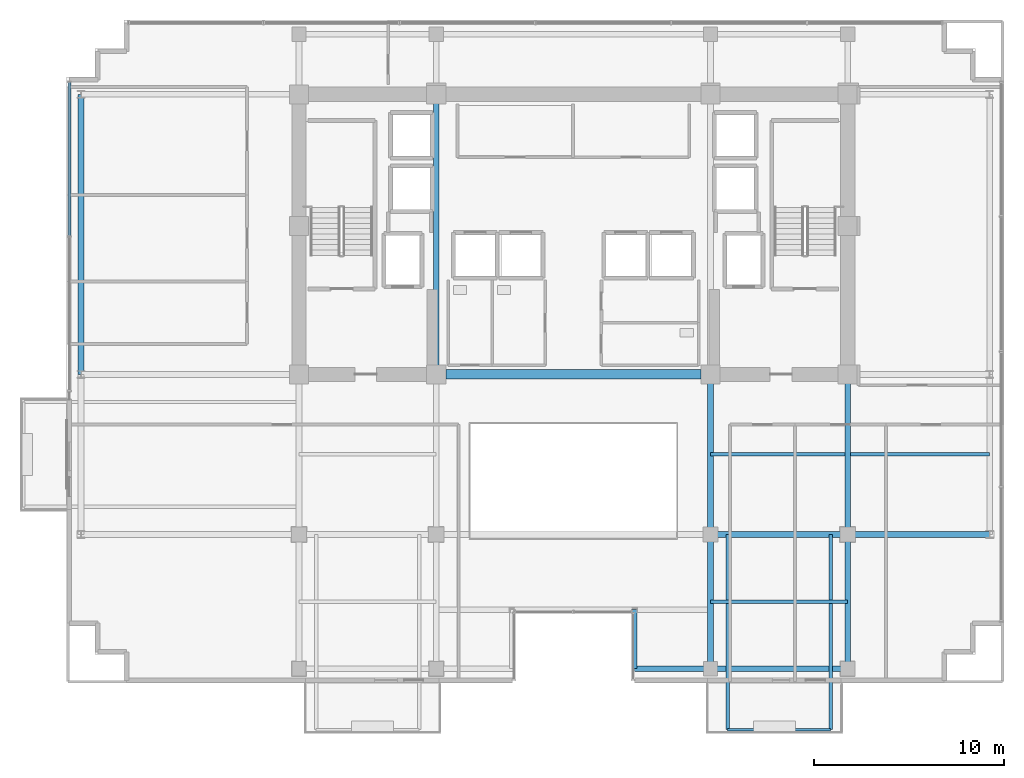
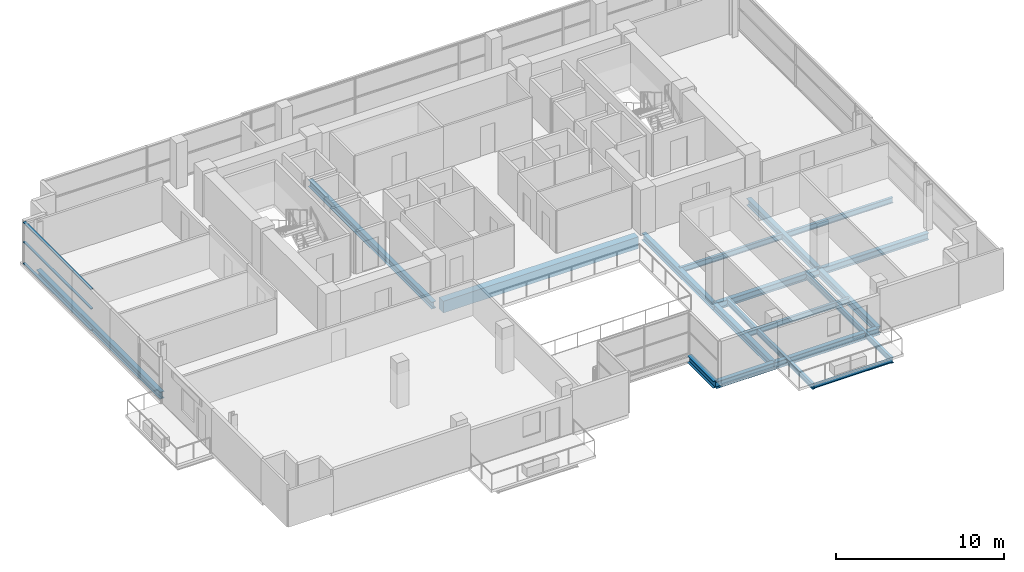
# One storey, part 5 of 21: 18 beams, 3 members, 1 element without a shape of its own.
"""IFC4 building model written with IfcOpenShell, lengths in metres."""

from ifc_helpers import new_model, si_unit, direction, frame, origin, origin_2d, place, context, subcontext, project, spatial, rectangle, hollow_rectangle, i_section, extrude, source, transform, mapped, material, layer, layer_set, material_profile, profile_set, type_object, element, aggregate, save


model = new_model("IFC4")

# Units and contexts
model_context = context("Model", 3, precision=1e-05, world=origin(), true_north=direction((0.0, 1.0)))
body_context = subcontext(model_context, "Body", "Model", "MODEL_VIEW")
ifc_project = project(units=[si_unit("LENGTHUNIT", "METRE"), si_unit("AREAUNIT", "SQUARE_METRE"), si_unit("VOLUMEUNIT", "CUBIC_METRE"), si_unit("PLANEANGLEUNIT", "RADIAN"), si_unit("MASSUNIT", "GRAM", prefix="KILO")], contexts=[model_context])

# Site, building, storey
site_placement = place(None, origin())
site = spatial("IfcSite", under=ifc_project, at=site_placement, CompositionType="ELEMENT")
building_placement = place(site_placement, origin())
building = spatial("IfcBuilding", under=site, at=building_placement, Name="Zarnakvel Exchange Tower", CompositionType="ELEMENT")
storey_placement = place(building_placement, frame((0.0, 0.0, 152.800048828125)))
storey = spatial("IfcBuildingStorey", under=building, at=storey_placement, Name="L42", CompositionType="ELEMENT", Elevation=152.800048828125)

# Beams
ifc_material_1 = material(Name="Steel S355", Category="steel")
ifc_material_profile_1 = material_profile(ifc_material_1, i_section(OverallWidth=0.179931640625, OverallDepth=0.39990234375, WebThickness=0.008544921875, FlangeThickness=0.013427734375, FilletRadius=0.02099609375, at=origin_2d()))
ifc_profile_set_1 = profile_set([ifc_material_profile_1], Name="Steel S355")
beam_type_1 = type_object("IfcBeamType", Name="B-06", PredefinedType="JOIST", material=ifc_profile_set_1)
beam_1_placement = place(storey_placement, frame((7.199951171875, -13.125, -0.425048828125), z_axis=(1.0, 0.0, 0.0), x_axis=(0.0, 1.0, 0.0)))
element("IfcBeam", 1, at=beam_1_placement, inside=storey, type_object=beam_type_1, Name="L42 Composite Floor Secondary Joist", PredefinedType="JOIST", context=body_context, shape_type="SweptSolid", body=[
    extrude(i_section(OverallWidth=0.179931640625, OverallDepth=0.39990234375, WebThickness=0.008544921875, FlangeThickness=0.013427734375, FilletRadius=0.02099609375, at=origin_2d()), origin(), (0.0, 0.0, 1.0), 7.199951171875),
])
beam_2_placement = place(storey_placement, frame((7.199951171875, -5.39990234375, -0.425048828125), z_axis=(1.0, 0.0, 0.0), x_axis=(0.0, 1.0, 0.0)))
element("IfcBeam", 2, at=beam_2_placement, inside=storey, type_object=beam_type_1, Name="L42 Composite Floor Secondary Joist", PredefinedType="JOIST", context=body_context, shape_type="SweptSolid", body=[
    extrude(i_section(OverallWidth=0.179931640625, OverallDepth=0.39990234375, WebThickness=0.008544921875, FlangeThickness=0.013427734375, FilletRadius=0.02099609375, at=origin_2d()), origin(), (0.0, 0.0, 1.0), 7.050048828125),
])
beam_3_placement = place(storey_placement, frame((14.550048828125, -5.39990234375, -0.425048828125), z_axis=(1.0, 0.0, 0.0), x_axis=(0.0, 1.0, 0.0)))
element("IfcBeam", 3, at=beam_3_placement, inside=storey, type_object=beam_type_1, Name="L42 Composite Floor Secondary Joist", PredefinedType="JOIST", context=body_context, shape_type="SweptSolid", body=[
    extrude(i_section(OverallWidth=0.179931640625, OverallDepth=0.39990234375, WebThickness=0.008544921875, FlangeThickness=0.013427734375, FilletRadius=0.02099609375, at=origin_2d()), origin(), (0.0, 0.0, 1.0), 7.300048828125),
])
for number, where, z_axis, x_axis, name in (
    (4, (8.10009765625, -9.60009765625, -0.425048828125), (0.0, -1.0, 0.0), (1.0, 0.0, 0.0), "L42 Continuous Back-Spanned Balcony Beam W"),
    (5, (13.5, -9.60009765625, -0.425048828125), (0.0, -1.0, 0.0), (1.0, 0.0, 0.0), "L42 Continuous Back-Spanned Balcony Beam E"),
):
    element("IfcBeam", number, at=place(storey_placement, frame(where, z_axis=z_axis, x_axis=x_axis)), inside=storey, type_object=beam_type_1, Name=name, PredefinedType="JOIST", context=body_context, shape_type="SweptSolid", body=[
        extrude(i_section(OverallWidth=0.179931640625, OverallDepth=0.39990234375, WebThickness=0.008544921875, FlangeThickness=0.013427734375, FilletRadius=0.02099609375, at=origin_2d()), origin(), (0.0, 0.0, 1.0), 10.25),
    ])
ifc_material_profile_2 = material_profile(ifc_material_1, i_section(OverallWidth=0.14990234375, OverallDepth=0.300048828125, WebThickness=0.007080078125, FlangeThickness=0.0107421875, FilletRadius=0.014892578125, at=origin_2d()))
ifc_profile_set_2 = profile_set([ifc_material_profile_2], Name="Steel S355")
beam_type_2 = type_object("IfcBeamType", Name="B-08", PredefinedType="JOIST", material=ifc_profile_set_2)
beam_4_placement = place(storey_placement, frame((8.10009765625, -19.85009765625, -0.375), z_axis=(1.0, 0.0, 0.0), x_axis=(0.0, 1.0, 0.0)))
element("IfcBeam", 6, at=beam_4_placement, inside=storey, type_object=beam_type_2, Name="L42 Balcony Edge Beam", PredefinedType="JOIST", context=body_context, shape_type="SweptSolid", body=[
    extrude(i_section(OverallWidth=0.14990234375, OverallDepth=0.300048828125, WebThickness=0.007080078125, FlangeThickness=0.0107421875, FilletRadius=0.014892578125, at=origin_2d()), origin(), (0.0, 0.0, 1.0), 5.39990234375),
])
ifc_material_2 = material(Name="Concrete C60/75", Category="concrete")
ifc_material_profile_3 = material_profile(ifc_material_2, rectangle(XDim=0.5, YDim=0.85009765625, at=origin_2d()))
ifc_profile_set_3 = profile_set([ifc_material_profile_3], Name="Concrete C60/75")
beam_type_3 = type_object("IfcBeamType", Name="CB-02", PredefinedType="LINTEL", material=ifc_profile_set_3)
beam_5_placement = place(storey_placement, frame((-6.699951171875, -1.199951171875, -0.650146484375), z_axis=(1.0, 0.0, 0.0), x_axis=(0.0, 1.0, 0.0)))
element("IfcBeam", 7, at=beam_5_placement, inside=storey, type_object=beam_type_3, Name="L42 Rear Core South Coupling Beam (CB-02)", PredefinedType="LINTEL", context=body_context, shape_type="SweptSolid", body=[
    extrude(rectangle(XDim=0.5, YDim=0.85009765625, at=origin_2d()), origin(), (0.0, 0.0, 1.0), 13.39990234375),
])
ifc_material_profile_4 = material_profile(ifc_material_1, i_section(OverallWidth=0.300048828125, OverallDepth=0.5, WebThickness=0.014404296875, FlangeThickness=0.028076171875, FilletRadius=0.027099609375, at=origin_2d()))
ifc_profile_set_4 = profile_set([ifc_material_profile_4], Name="Steel S355")
beam_type_4 = type_object("IfcBeamType", Name="G-06", PredefinedType="BEAM", material=ifc_profile_set_4)
beam_6_placement = place(storey_placement, frame((3.199951171875, -16.64990234375, -0.47509765625), z_axis=(0.0, 1.0, 0.0), x_axis=(-1.0, 0.0, 0.0)))
element("IfcBeam", 8, at=beam_6_placement, inside=storey, type_object=beam_type_4, Name="L42 South Slot East Cheek Beam", PredefinedType="BEAM", context=body_context, shape_type="SweptSolid", body=[
    extrude(i_section(OverallWidth=0.300048828125, OverallDepth=0.5, WebThickness=0.014404296875, FlangeThickness=0.028076171875, FilletRadius=0.027099609375, at=origin_2d()), origin(), (0.0, 0.0, 1.0), 3.099853515625),
])
beam_7_placement = place(storey_placement, frame((7.199951171875, -9.60009765625, -0.47509765625), z_axis=(1.0, 0.0, 0.0), x_axis=(0.0, 1.0, 0.0)))
element("IfcBeam", 9, at=beam_7_placement, inside=storey, type_object=beam_type_4, Name="L42 Tower E-W Frame Beam", PredefinedType="BEAM", context=body_context, shape_type="SweptSolid", body=[
    extrude(i_section(OverallWidth=0.300048828125, OverallDepth=0.5, WebThickness=0.014404296875, FlangeThickness=0.028076171875, FilletRadius=0.027099609375, at=origin_2d()), origin(), (0.0, 0.0, 1.0), 7.199951171875),
])
beam_8_placement = place(storey_placement, frame((14.39990234375, -9.60009765625, -0.47509765625), z_axis=(1.0, 0.0, 0.0), x_axis=(0.0, 1.0, 0.0)))
element("IfcBeam", 10, at=beam_8_placement, inside=storey, type_object=beam_type_4, Name="L42 Tower E-W Frame Beam", PredefinedType="BEAM", context=body_context, shape_type="SweptSolid", body=[
    extrude(i_section(OverallWidth=0.300048828125, OverallDepth=0.5, WebThickness=0.014404296875, FlangeThickness=0.028076171875, FilletRadius=0.027099609375, at=origin_2d()), origin(), (0.0, 0.0, 1.0), 7.4501953125),
])
beam_9_placement = place(storey_placement, frame((-7.199951171875, -1.199951171875, -0.47509765625), z_axis=(0.0, 1.0, 0.0), x_axis=(-1.0, 0.0, 0.0)))
element("IfcBeam", 11, at=beam_9_placement, inside=storey, type_object=beam_type_4, Name="L42 Tower N-S Frame Beam", PredefinedType="BEAM", context=body_context, shape_type="SweptSolid", body=[
    extrude(i_section(OverallWidth=0.300048828125, OverallDepth=0.5, WebThickness=0.014404296875, FlangeThickness=0.028076171875, FilletRadius=0.027099609375, at=origin_2d()), origin(), (0.0, 0.0, 1.0), 14.699951171875),
])
beam_10_placement = place(storey_placement, frame((7.199951171875, -16.64990234375, -0.47509765625), z_axis=(0.0, 1.0, 0.0), x_axis=(-1.0, 0.0, 0.0)))
element("IfcBeam", 12, at=beam_10_placement, inside=storey, type_object=beam_type_4, Name="L42 Tower N-S Frame Beam", PredefinedType="BEAM", context=body_context, shape_type="SweptSolid", body=[
    extrude(i_section(OverallWidth=0.300048828125, OverallDepth=0.5, WebThickness=0.014404296875, FlangeThickness=0.028076171875, FilletRadius=0.027099609375, at=origin_2d()), origin(), (0.0, 0.0, 1.0), 7.0498046875),
])
beam_11_placement = place(storey_placement, frame((7.199951171875, -9.60009765625, -0.47509765625), z_axis=(0.0, 1.0, 0.0), x_axis=(-1.0, 0.0, 0.0)))
element("IfcBeam", 13, at=beam_11_placement, inside=storey, type_object=beam_type_4, Name="L42 Tower N-S Frame Beam", PredefinedType="BEAM", context=body_context, shape_type="SweptSolid", body=[
    extrude(i_section(OverallWidth=0.300048828125, OverallDepth=0.5, WebThickness=0.014404296875, FlangeThickness=0.028076171875, FilletRadius=0.027099609375, at=origin_2d()), origin(), (0.0, 0.0, 1.0), 8.400146484375),
])
beam_12_placement = place(storey_placement, frame((14.39990234375, -16.64990234375, -0.47509765625), z_axis=(0.0, 1.0, 0.0), x_axis=(-1.0, 0.0, 0.0)))
element("IfcBeam", 14, at=beam_12_placement, inside=storey, type_object=beam_type_4, Name="L42 Tower N-S Frame Beam", PredefinedType="BEAM", context=body_context, shape_type="SweptSolid", body=[
    extrude(i_section(OverallWidth=0.300048828125, OverallDepth=0.5, WebThickness=0.014404296875, FlangeThickness=0.028076171875, FilletRadius=0.027099609375, at=origin_2d()), origin(), (0.0, 0.0, 1.0), 7.0498046875),
])
beam_13_placement = place(storey_placement, frame((14.39990234375, -9.60009765625, -0.47509765625), z_axis=(0.0, 1.0, 0.0), x_axis=(-1.0, 0.0, 0.0)))
element("IfcBeam", 15, at=beam_13_placement, inside=storey, type_object=beam_type_4, Name="L42 Tower N-S Frame Beam", PredefinedType="BEAM", context=body_context, shape_type="SweptSolid", body=[
    extrude(i_section(OverallWidth=0.300048828125, OverallDepth=0.5, WebThickness=0.014404296875, FlangeThickness=0.028076171875, FilletRadius=0.027099609375, at=origin_2d()), origin(), (0.0, 0.0, 1.0), 8.400146484375),
])
ifc_material_profile_5 = material_profile(ifc_material_1, i_section(OverallWidth=0.300048828125, OverallDepth=0.5, WebThickness=0.014404296875, FlangeThickness=0.028076171875, FilletRadius=0.027099609375, at=origin_2d()))
ifc_profile_set_5 = profile_set([ifc_material_profile_5], Name="Steel S355")
beam_type_5 = type_object("IfcBeamType", Name="SP-02", PredefinedType="SPANDREL", material=ifc_profile_set_5)
beam_14_placement = place(storey_placement, frame((3.199951171875, -16.64990234375, -0.47509765625), z_axis=(1.0, 0.0, 0.0), x_axis=(0.0, 1.0, 0.0)))
element("IfcBeam", 16, at=beam_14_placement, inside=storey, type_object=beam_type_5, Name="L42 South Slot East Jamb Spandrel", PredefinedType="SPANDREL", context=body_context, shape_type="SweptSolid", body=[
    extrude(i_section(OverallWidth=0.300048828125, OverallDepth=0.5, WebThickness=0.014404296875, FlangeThickness=0.028076171875, FilletRadius=0.027099609375, at=origin_2d()), origin(), (0.0, 0.0, 1.0), 4.0),
])
beam_15_placement = place(storey_placement, frame((7.199951171875, -16.64990234375, -0.47509765625), z_axis=(1.0, 0.0, 0.0), x_axis=(0.0, 1.0, 0.0)))
element("IfcBeam", 17, at=beam_15_placement, inside=storey, type_object=beam_type_5, Name="L42 Tower E-W Frame Beam", PredefinedType="SPANDREL", context=body_context, shape_type="SweptSolid", body=[
    extrude(i_section(OverallWidth=0.300048828125, OverallDepth=0.5, WebThickness=0.014404296875, FlangeThickness=0.028076171875, FilletRadius=0.027099609375, at=origin_2d()), origin(), (0.0, 0.0, 1.0), 7.199951171875),
])
beam_16_placement = place(storey_placement, frame((-25.85009765625, -1.199951171875, -0.47509765625), z_axis=(0.0, 1.0, 0.0), x_axis=(-1.0, 0.0, 0.0)))
element("IfcBeam", 18, at=beam_16_placement, inside=storey, type_object=beam_type_5, Name="L42 Tower N-S Frame Beam", PredefinedType="SPANDREL", context=body_context, shape_type="SweptSolid", body=[
    extrude(i_section(OverallWidth=0.300048828125, OverallDepth=0.5, WebThickness=0.014404296875, FlangeThickness=0.028076171875, FilletRadius=0.027099609375, at=origin_2d()), origin(), (0.0, 0.0, 1.0), 14.699951171875),
])

# Curtain wall, members
ifc_material_3 = material(Name="Architectural Bronze Anodised Aluminium", Category="aluminium")
ifc_layer = layer(ifc_material_3, 0.199951171875)
ifc_layer_set = layer_set([ifc_layer], Name="Architectural Bronze Anodised Aluminium")
curtain_wall_type = type_object("IfcCurtainWallType", Name="CW-04", PredefinedType="NOTDEFINED", material=ifc_layer_set)
curtain_wall_placement = place(storey_placement, origin())
curtain_wall = element("IfcCurtainWall", 19, at=curtain_wall_placement, inside=storey, type_object=curtain_wall_type, Name="L42 Curtain Wall CW-L42-WN (CW-04)", PredefinedType="NOTDEFINED")
ifc_material_profile_6 = material_profile(ifc_material_3, hollow_rectangle(XDim=0.159912109375, YDim=0.074951171875, WallThickness=0.00390625, at=origin_2d()))
ifc_profile_set_6 = profile_set([ifc_material_profile_6], Name="Architectural Bronze Anodised Aluminium")
member_type = type_object("IfcMemberType", Name="CWT-04", PredefinedType="USERDEFINED", material=ifc_profile_set_6)
shared_shape = source(origin(), body_context, "Body", "SweptSolid", [
    extrude(hollow_rectangle(XDim=0.159912109375, YDim=0.074951171875, WallThickness=0.00390625, at=origin_2d()), origin(), (0.0, 0.0, 1.0), 8.03759765625),
])
member_1_placement = place(storey_placement, frame((-26.4599609375, 6.08740234375, 0.037353515625), z_axis=(0.0, 1.0, 0.0), x_axis=(-1.0, 0.0, 0.0)))
member_1 = element("IfcMember", 20, at=member_1_placement, type_object=member_type, Name="CW-04 transom 2.1", ObjectType="TRANSOM", PredefinedType="USERDEFINED", context=body_context, shape_type="MappedRepresentation", body=[
    mapped(shared_shape, transform((0.0, 0.0, 0.0), x_axis=(1.0, 0.0, 0.0), y_axis=(0.0, 1.0, 0.0), z_axis=(0.0, 0.0, 1.0), scale=1.0)),
])
member_2_placement = place(storey_placement, frame((-26.4599609375, 6.08740234375, 1.588623046875), z_axis=(0.0, 1.0, 0.0), x_axis=(-1.0, 0.0, 0.0)))
member_2 = element("IfcMember", 21, at=member_2_placement, type_object=member_type, Name="CW-04 transom 2.2", ObjectType="TRANSOM", PredefinedType="USERDEFINED", context=body_context, shape_type="MappedRepresentation", body=[
    mapped(shared_shape, transform((0.0, 0.0, 0.0), x_axis=(1.0, 0.0, 0.0), y_axis=(0.0, 1.0, 0.0), z_axis=(0.0, 0.0, 1.0), scale=1.0)),
])
member_3_placement = place(storey_placement, frame((-26.4599609375, 6.08740234375, 3.017333984375), z_axis=(0.0, 1.0, 0.0), x_axis=(-1.0, 0.0, 0.0)))
member_3 = element("IfcMember", 22, at=member_3_placement, type_object=member_type, Name="CW-04 transom 2.3", ObjectType="TRANSOM", PredefinedType="USERDEFINED", context=body_context, shape_type="MappedRepresentation", body=[
    mapped(shared_shape, transform((0.0, 0.0, 0.0), x_axis=(1.0, 0.0, 0.0), y_axis=(0.0, 1.0, 0.0), z_axis=(0.0, 0.0, 1.0), scale=1.0)),
])
aggregate(curtain_wall, [member_1, member_2, member_3])

save(model, "model.ifc")
